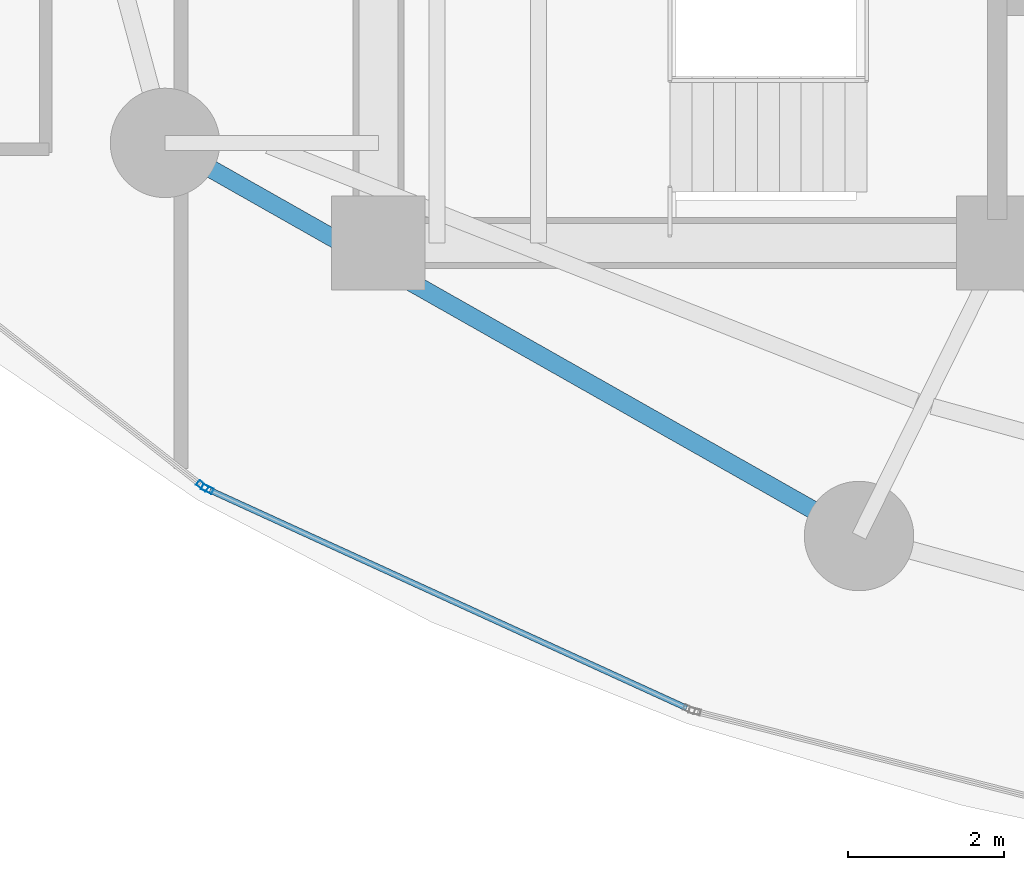
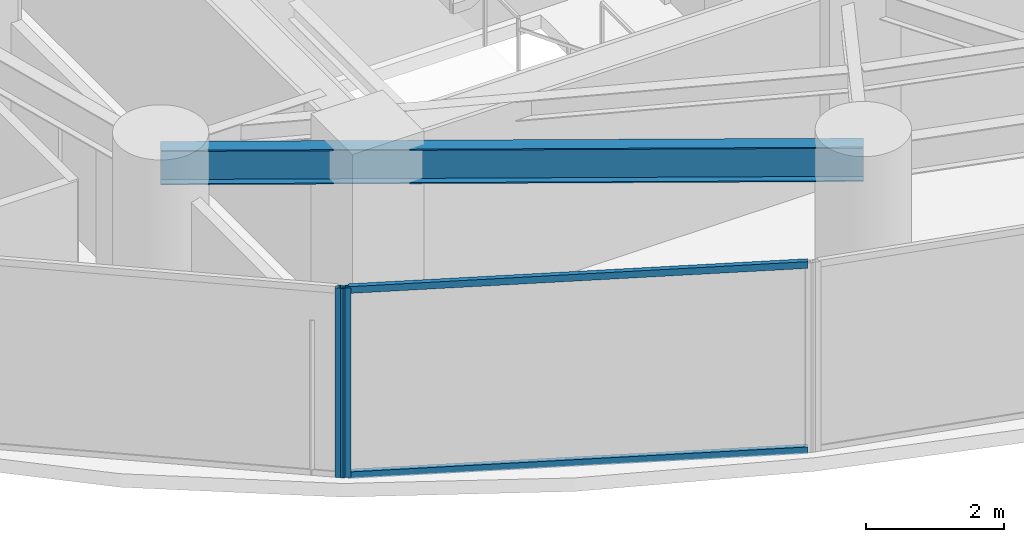
# One storey, part 2 of 34: 4 members, 1 beam, 2 elements without a shape of their own.
"""IFC4 building model written with IfcOpenShell, lengths in metres."""

from ifc_helpers import new_model, si_unit, direction, frame, origin, origin_2d, place, context, subcontext, project, spatial, hollow_rectangle, i_section, extrude, material, layer, layer_set, material_profile, profile_set, type_object, element, aggregate, save


model = new_model("IFC4")

# Units and contexts
model_context = context("Model", 3, precision=1e-05, world=origin(), true_north=direction((0.0, 1.0)))
body_context = subcontext(model_context, "Body", "Model", "MODEL_VIEW")
ifc_project = project(units=[si_unit("LENGTHUNIT", "METRE"), si_unit("AREAUNIT", "SQUARE_METRE"), si_unit("VOLUMEUNIT", "CUBIC_METRE"), si_unit("PLANEANGLEUNIT", "RADIAN"), si_unit("MASSUNIT", "GRAM", prefix="KILO")], contexts=[model_context])

# Site, building, storey
site_placement = place(None, origin())
site = spatial("IfcSite", under=ifc_project, at=site_placement, CompositionType="ELEMENT")
building_placement = place(site_placement, origin())
building = spatial("IfcBuilding", under=site, at=building_placement, Name="Kazevale Care Tower and Concert Hall", CompositionType="ELEMENT")
storey_placement = place(building_placement, frame((0.0, 0.0, 67.199951171875)))
storey = spatial("IfcBuildingStorey", under=building, at=storey_placement, Name="L17", CompositionType="ELEMENT", Elevation=67.199951171875)

# Curtain wall, member
ifc_material_1 = material(Name="Aluminium 6063-T6 and Low-E Glass", Category="aluminium")
ifc_layer = layer(ifc_material_1, 0.179931640625)
ifc_layer_set = layer_set([ifc_layer], Name="Aluminium 6063-T6 and Low-E Glass")
curtain_wall_type = type_object("IfcCurtainWallType", Name="Sheltered Concave Balcony Curtain Wall CW-5", PredefinedType="NOTDEFINED", material=ifc_layer_set)
curtain_wall_1_placement = place(storey_placement, origin())
curtain_wall_1 = element("IfcCurtainWall", 1, at=curtain_wall_1_placement, inside=storey, type_object=curtain_wall_type, Name="cw:L17:f09", PredefinedType="NOTDEFINED")
ifc_material_2 = material(Name="Aluminium 6063-T6", Category="aluminium")
ifc_material_profile_1 = material_profile(ifc_material_2, hollow_rectangle(XDim=0.074951171875, YDim=0.14990234375, WallThickness=0.00390625, at=origin_2d()), Name="ALU75x150x4")
ifc_profile_set_1 = profile_set([ifc_material_profile_1], Name="Aluminium 6063-T6")
member_type_1 = type_object("IfcMemberType", Name="CW-5 Mullion ALU75x150x4", PredefinedType="MULLION", material=ifc_profile_set_1)
member_1_placement = place(storey_placement, frame((19.81201171875, 20.451416015625, 0.0), z_axis=(0.0, 0.0, 1.0), x_axis=(-0.415659767773, -0.909520179795, 0.0)))
member_1 = element("IfcMember", 2, at=member_1_placement, type_object=member_type_1, Name="CW-5 mullion 2", PredefinedType="MULLION", context=body_context, shape_type="SweptSolid", body=[
    extrude(hollow_rectangle(XDim=0.074951171875, YDim=0.14990234375, WallThickness=0.00390625, at=origin_2d()), origin(), (0.0, 0.0, 1.0), 3.360107421875),
])

curtain_wall_2_placement = place(storey_placement, origin())
curtain_wall_2 = element("IfcCurtainWall", 3, at=curtain_wall_2_placement, inside=storey, type_object=curtain_wall_type, Name="cw:L17:f10", PredefinedType="NOTDEFINED")
member_2_placement = place(storey_placement, frame((19.74853515625, 20.490234375, 0.0), z_axis=(0.0, 0.0, 1.0), x_axis=(-0.617807548814, -0.78632934107, 0.0)))
member_2 = element("IfcMember", 4, at=member_2_placement, type_object=member_type_1, Name="CW-5 mullion 1", PredefinedType="MULLION", context=body_context, shape_type="SweptSolid", body=[
    extrude(hollow_rectangle(XDim=0.074951171875, YDim=0.14990234375, WallThickness=0.00390625, at=origin_2d()), origin(), (0.0, 0.0, 1.0), 3.360107421875),
])
aggregate(curtain_wall_2, [member_2])

# Member
ifc_material_profile_2 = material_profile(ifc_material_2, hollow_rectangle(XDim=0.074951171875, YDim=0.1201171875, WallThickness=0.00390625, at=origin_2d()), Name="ALU75x120x4")
ifc_profile_set_2 = profile_set([ifc_material_profile_2], Name="Aluminium 6063-T6")
member_type_2 = type_object("IfcMemberType", Name="CW-5 Transom ALU75x120x4", PredefinedType="USERDEFINED", material=ifc_profile_set_2)
member_3_placement = place(storey_placement, frame((25.94384765625, 17.649169921875, 0.03759765625), z_axis=(-0.909524040017, 0.415651320978, 0.0), x_axis=(-0.415651320978, -0.909524040017, 0.0)))
member_3 = element("IfcMember", 5, at=member_3_placement, type_object=member_type_2, Name="CW-5 transom 1.1", ObjectType="TRANSOM", PredefinedType="USERDEFINED", context=body_context, shape_type="SweptSolid", body=[
    extrude(hollow_rectangle(XDim=0.074951171875, YDim=0.1201171875, WallThickness=0.00390625, at=origin_2d()), origin(), (0.0, 0.0, 1.0), 6.704345703125),
])

member_4_placement = place(storey_placement, frame((25.94384765625, 17.649169921875, 3.322509765625), z_axis=(-0.909524040017, 0.415651320978, 0.0), x_axis=(-0.415651320978, -0.909524040017, 0.0)))
member_4 = element("IfcMember", 6, at=member_4_placement, type_object=member_type_2, Name="CW-5 transom 1.2", ObjectType="TRANSOM", PredefinedType="USERDEFINED", context=body_context, shape_type="SweptSolid", body=[
    extrude(hollow_rectangle(XDim=0.074951171875, YDim=0.1201171875, WallThickness=0.00390625, at=origin_2d()), origin(), (0.0, 0.0, 1.0), 6.704345703125),
])

aggregate(curtain_wall_1, [member_1, member_3, member_4])

# Beam
ifc_material_3 = material(Name="Steel ASTM A572 Gr 50", Category="steel")
ifc_material_profile_3 = material_profile(ifc_material_3, i_section(OverallWidth=0.22900390625, OverallDepth=0.612060546875, WebThickness=0.011962890625, FlangeThickness=0.01953125, at=origin_2d()), Name="W610x125")
ifc_profile_set_3 = profile_set([ifc_material_profile_3], Name="Steel ASTM A572 Gr 50")
beam_type = type_object("IfcBeamType", Name="Ring Spandrel Beam W610x125", PredefinedType="SPANDREL", material=ifc_profile_set_3)
beam_placement = place(storey_placement, frame((19.27001953125, 24.8798828125, 3.053955078125), z_axis=(0.870112469479, -0.492853213906, 0.0), x_axis=(0.492853213906, 0.870112469479, 0.0)))
element("IfcBeam", 7, at=beam_placement, inside=storey, type_object=beam_type, Name="beam:L17:ring:10", PredefinedType="SPANDREL", context=body_context, shape_type="SweptSolid", body=[
    extrude(i_section(OverallWidth=0.22900390625, OverallDepth=0.612060546875, WebThickness=0.011962890625, FlangeThickness=0.01953125, at=origin_2d()), origin(), (0.0, 0.0, 1.0), 10.205322265625),
])

save(model, "model.ifc")
